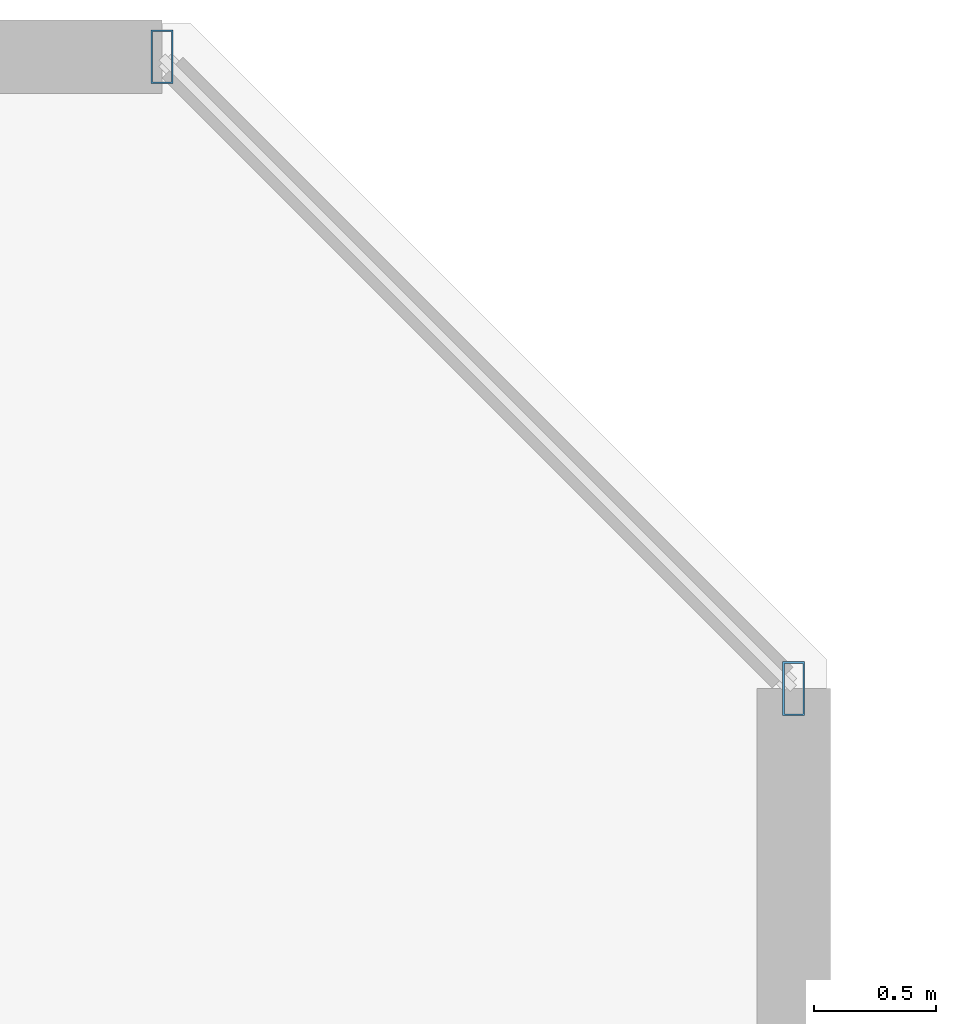
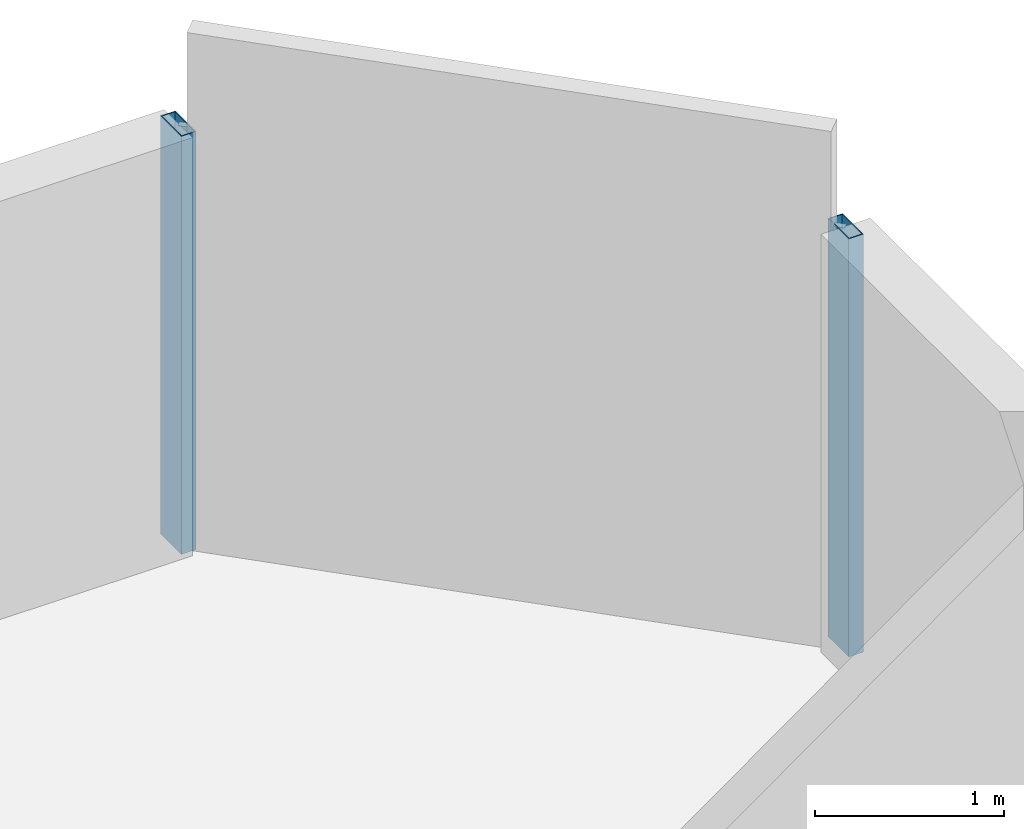
# One storey, part 16 of 33: 2 members, 1 element without a shape of its own.
"""IFC4 building model written with IfcOpenShell, lengths in metres."""

from ifc_helpers import new_model, si_unit, direction, frame, origin, origin_2d, place, context, subcontext, project, spatial, hollow_rectangle, extrude, material, material_profile, profile_set, type_object, element, aggregate, save


model = new_model("IFC4")

# Units and contexts
model_context = context("Model", 3, precision=1e-05, world=origin(), true_north=direction((0.0, 1.0)))
body_context = subcontext(model_context, "Body", "Model", "MODEL_VIEW")
ifc_project = project(units=[si_unit("LENGTHUNIT", "METRE"), si_unit("AREAUNIT", "SQUARE_METRE"), si_unit("VOLUMEUNIT", "CUBIC_METRE"), si_unit("PLANEANGLEUNIT", "RADIAN"), si_unit("MASSUNIT", "GRAM", prefix="KILO")], contexts=[model_context])

# Site, building, storey
site_placement = place(None, origin())
site = spatial("IfcSite", under=ifc_project, at=site_placement, CompositionType="ELEMENT")
building_placement = place(site_placement, origin())
building = spatial("IfcBuilding", under=site, at=building_placement, Name="Thornwick Lancets Civic Towers", CompositionType="ELEMENT")
storey_placement = place(building_placement, frame((0.0, 0.0, 42.300048828125)))
storey = spatial("IfcBuildingStorey", under=building, at=storey_placement, Name="L10", CompositionType="ELEMENT", Elevation=42.300048828125)

# Curtain wall, members
ifc_material_1 = material(Name="Low-zone chamfered-corner unitised glass curtain wall", Category="glass")
curtain_wall_type = type_object("IfcCurtainWallType", Name="CW_SYS_03", PredefinedType="NOTDEFINED", material=ifc_material_1)
curtain_wall_placement = place(storey_placement, origin())
curtain_wall = element("IfcCurtainWall", 1, at=curtain_wall_placement, inside=storey, type_object=curtain_wall_type, Name="L10 Curtain Wall CW-L10-B-E3", PredefinedType="NOTDEFINED")
ifc_material_2 = material(Name="Thermally broken bronze aluminium S355", Category="steel")
ifc_material_profile = material_profile(ifc_material_2, hollow_rectangle(XDim=0.090087890625, YDim=0.219970703125, WallThickness=0.00634765625, at=origin_2d()), Name="RHS 220x90x6.3")
ifc_profile_set = profile_set([ifc_material_profile], Name="Thermally broken bronze aluminium S355")
member_type = type_object("IfcMemberType", Name="CW_MUL_220", PredefinedType="MULLION", material=ifc_profile_set)
member_1_placement = place(storey_placement, frame((112.764892578125, 42.68115234375, 0.0), z_axis=(0.0, 0.0, 1.0), x_axis=(1.0, 0.0, 0.0)))
member_1 = element("IfcMember", 2, at=member_1_placement, type_object=member_type, Name="CW-L10-B-E3 Mullion 0", PredefinedType="MULLION", context=body_context, shape_type="SweptSolid", body=[
    extrude(hollow_rectangle(XDim=0.090087890625, YDim=0.219970703125, WallThickness=0.00634765625, at=origin_2d()), origin(), (0.0, 0.0, 1.0), 2.699951171875),
])
member_2_placement = place(storey_placement, frame((110.18115234375, 45.264892578125, 0.0), z_axis=(0.0, 0.0, 1.0), x_axis=(1.0, 0.0, 0.0)))
member_2 = element("IfcMember", 3, at=member_2_placement, type_object=member_type, Name="CW-L10-B-E3 Mullion 1", PredefinedType="MULLION", context=body_context, shape_type="SweptSolid", body=[
    extrude(hollow_rectangle(XDim=0.090087890625, YDim=0.219970703125, WallThickness=0.00634765625, at=origin_2d()), origin(), (0.0, 0.0, 1.0), 2.699951171875),
])
aggregate(curtain_wall, [member_1, member_2])

save(model, "model.ifc")
